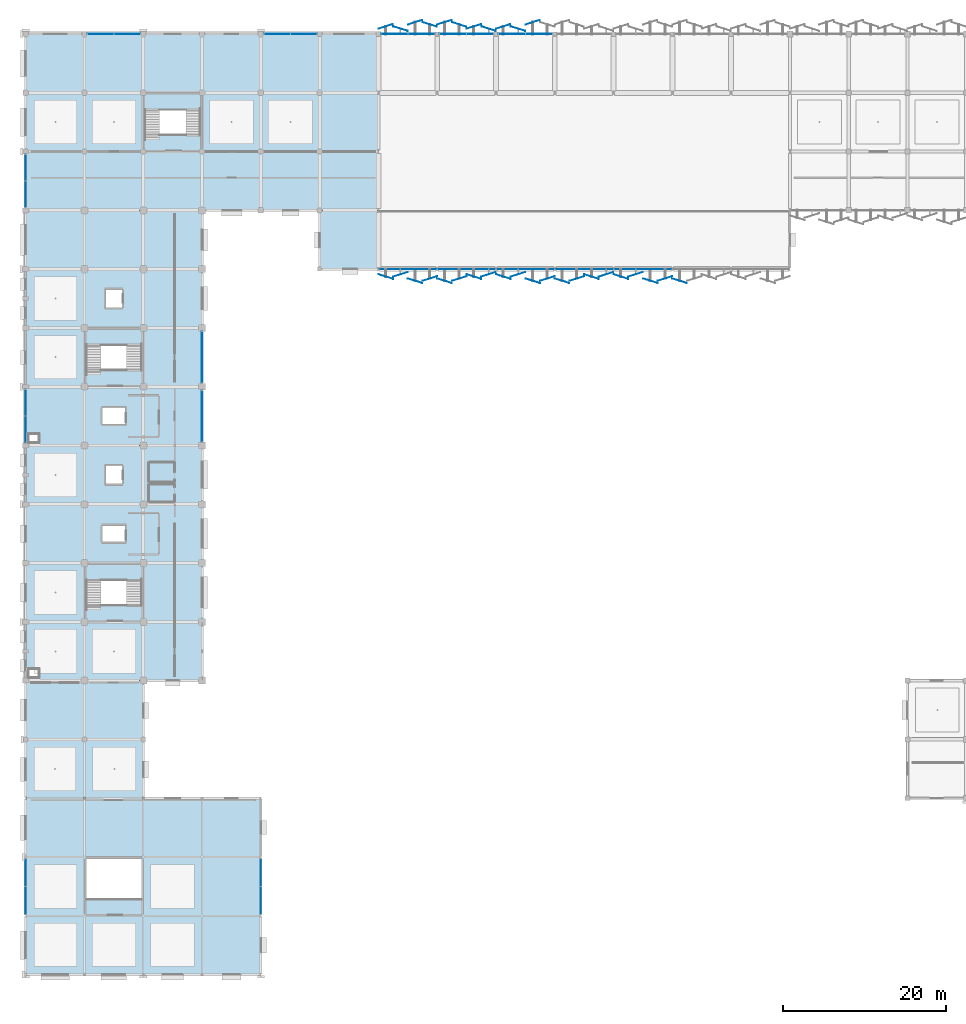
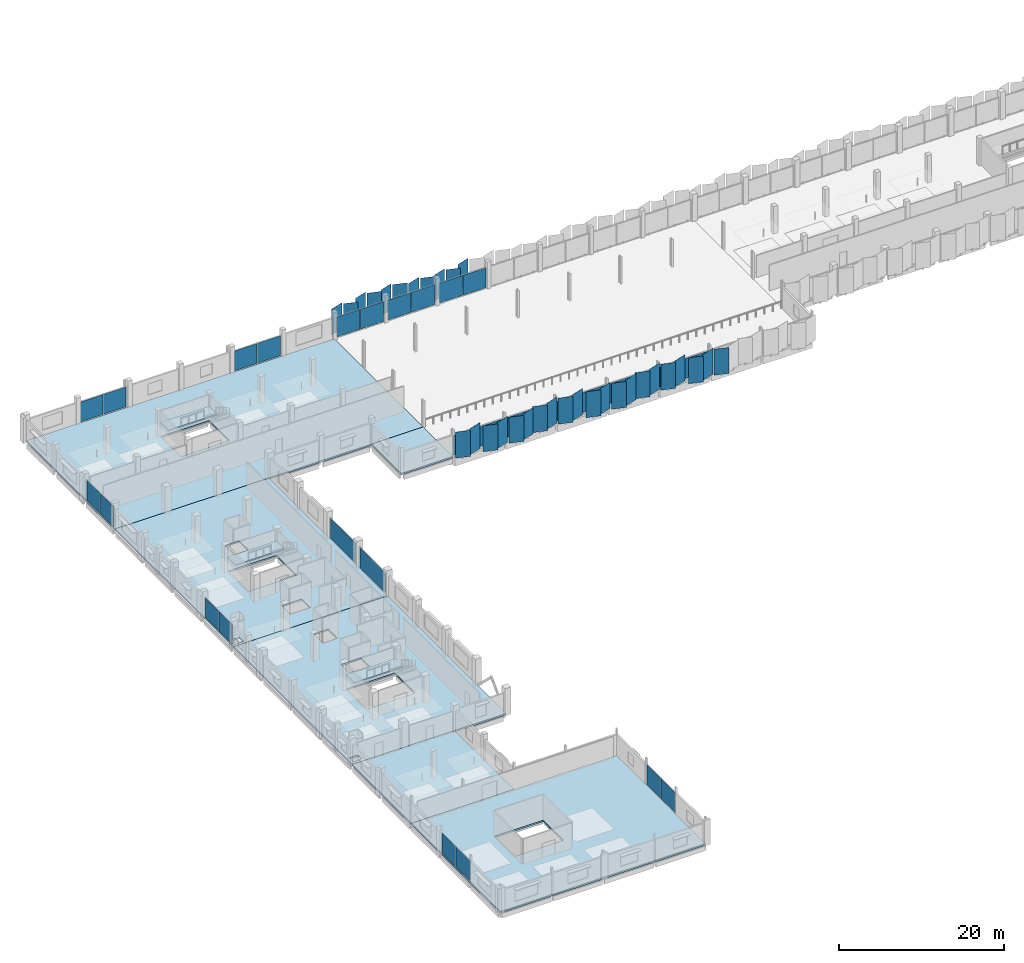
# One storey, part 71 of 107: 57 plates, 9 slabs, 19 elements without a shape of their own.
"""IFC4 building model written with IfcOpenShell, lengths in metres."""

from ifc_helpers import new_model, si_unit, direction, frame, origin, origin_2d, place, context, subcontext, project, spatial, polyline, rectangle, outline, extrude, material, layer, layer_set, type_object, element, aggregate, save


model = new_model("IFC4")

# Units and contexts
model_context = context("Model", 3, precision=1e-05, world=origin(), true_north=direction((0.0, 1.0)))
body_context = subcontext(model_context, "Body", "Model", "MODEL_VIEW")
ifc_project = project(units=[si_unit("LENGTHUNIT", "METRE"), si_unit("AREAUNIT", "SQUARE_METRE"), si_unit("VOLUMEUNIT", "CUBIC_METRE"), si_unit("PLANEANGLEUNIT", "RADIAN"), si_unit("MASSUNIT", "GRAM", prefix="KILO")], contexts=[model_context])

# Site, building, storey
site_placement = place(None, origin())
site = spatial("IfcSite", under=ifc_project, at=site_placement, CompositionType="ELEMENT")
building_placement = place(site_placement, origin())
building = spatial("IfcBuilding", under=site, at=building_placement, Name="Kangsadwip Square Police Headquarters", CompositionType="ELEMENT")
storey_placement = place(building_placement, frame((0.0, 0.0, 5.39990234375)))
storey = spatial("IfcBuildingStorey", under=building, at=storey_placement, Name="L01", CompositionType="ELEMENT", Elevation=5.39990234375)

# Curtain wall, plate
ifc_material_1 = material(Name="Thermally broken anodised aluminium AW-6063-T6", Category="aluminium")
ifc_layer_1 = layer(ifc_material_1, 0.159912109375)
ifc_layer_set_1 = layer_set([ifc_layer_1], Name="Thermally broken anodised aluminium AW-6063-T6")
curtain_wall_type_1 = type_object("IfcCurtainWallType", Name="CourtScreen7180x3200", PredefinedType="USERDEFINED", material=ifc_layer_set_1)
curtain_wall_1_placement = place(storey_placement, origin())
curtain_wall_1 = element("IfcCurtainWall", 1, at=curtain_wall_1_placement, inside=storey, type_object=curtain_wall_type_1, Name="Curtain Wall CW-L01-0432-0864", ObjectType="GLAZED_SCREEN", PredefinedType="USERDEFINED")
ifc_material_2 = material(Name="Double-glazed solar-control low-E safety glass", Category="glass")
ifc_layer_2 = layer(ifc_material_2, 0.02392578125)
ifc_layer_set_2 = layer_set([ifc_layer_2], Name="Double-glazed solar-control low-E safety glass")
plate_type_1 = type_object("IfcPlateType", Name="CwCourtVisionPanel24", PredefinedType="CURTAIN_PANEL", material=ifc_layer_set_2)
plate_1_placement = place(storey_placement, frame((46.800048828125, 86.39990234375, 0.1201171875), z_axis=(0.0, 0.0, 1.0), x_axis=(1.0, 0.0, 0.0)))
plate_1 = element("IfcPlate", 2, at=plate_1_placement, type_object=plate_type_1, Name="CW-17 panel 1.1", PredefinedType="CURTAIN_PANEL", context=body_context, shape_type="SweptSolid", body=[
    extrude(rectangle(XDim=7.06005859375, YDim=0.02392578125, at=origin_2d()), origin(), (0.0, 0.0, 1.0), 2.9599609375),
])
aggregate(curtain_wall_1, [plate_1])

curtain_wall_2_placement = place(storey_placement, origin())
curtain_wall_2 = element("IfcCurtainWall", 3, at=curtain_wall_2_placement, inside=storey, type_object=curtain_wall_type_1, Name="Curtain Wall CW-L01-0504-0864", ObjectType="GLAZED_SCREEN", PredefinedType="USERDEFINED")
plate_2_placement = place(storey_placement, frame((54.0, 86.39990234375, 0.1201171875), z_axis=(0.0, 0.0, 1.0), x_axis=(1.0, 0.0, 0.0)))
plate_2 = element("IfcPlate", 4, at=plate_2_placement, type_object=plate_type_1, Name="CW-17 panel 1.1", PredefinedType="CURTAIN_PANEL", context=body_context, shape_type="SweptSolid", body=[
    extrude(rectangle(XDim=7.06005859375, YDim=0.02392578125, at=origin_2d()), origin(), (0.0, 0.0, 1.0), 2.9599609375),
])
aggregate(curtain_wall_2, [plate_2])

curtain_wall_3_placement = place(storey_placement, origin())
curtain_wall_3 = element("IfcCurtainWall", 5, at=curtain_wall_3_placement, inside=storey, type_object=curtain_wall_type_1, Name="Curtain Wall CW-L01-0576-0864", ObjectType="GLAZED_SCREEN", PredefinedType="USERDEFINED")
plate_3_placement = place(storey_placement, frame((61.199951171875, 86.39990234375, 0.1201171875), z_axis=(0.0, 0.0, 1.0), x_axis=(1.0, 0.0, 0.0)))
plate_3 = element("IfcPlate", 6, at=plate_3_placement, type_object=plate_type_1, Name="CW-17 panel 1.1", PredefinedType="CURTAIN_PANEL", context=body_context, shape_type="SweptSolid", body=[
    extrude(rectangle(XDim=7.06005859375, YDim=0.02392578125, at=origin_2d()), origin(), (0.0, 0.0, 1.0), 2.9599609375),
])
aggregate(curtain_wall_3, [plate_3])

curtain_wall_4_placement = place(storey_placement, origin())
curtain_wall_4 = element("IfcCurtainWall", 7, at=curtain_wall_4_placement, inside=storey, type_object=curtain_wall_type_1, Name="Curtain Wall CW-L01-0648-0864", ObjectType="GLAZED_SCREEN", PredefinedType="USERDEFINED")
plate_4_placement = place(storey_placement, frame((68.39990234375, 86.39990234375, 0.1201171875), z_axis=(0.0, 0.0, 1.0), x_axis=(1.0, 0.0, 0.0)))
plate_4 = element("IfcPlate", 8, at=plate_4_placement, type_object=plate_type_1, Name="CW-17 panel 1.1", PredefinedType="CURTAIN_PANEL", context=body_context, shape_type="SweptSolid", body=[
    extrude(rectangle(XDim=7.06005859375, YDim=0.02392578125, at=origin_2d()), origin(), (0.0, 0.0, 1.0), 2.9599609375),
])
aggregate(curtain_wall_4, [plate_4])

curtain_wall_5_placement = place(storey_placement, origin())
curtain_wall_5 = element("IfcCurtainWall", 9, at=curtain_wall_5_placement, inside=storey, type_object=curtain_wall_type_1, Name="Curtain Wall CW-L01-0720-0864", ObjectType="GLAZED_SCREEN", PredefinedType="USERDEFINED")
plate_5_placement = place(storey_placement, frame((75.60009765625, 86.39990234375, 0.1201171875), z_axis=(0.0, 0.0, 1.0), x_axis=(1.0, 0.0, 0.0)))
plate_5 = element("IfcPlate", 10, at=plate_5_placement, type_object=plate_type_1, Name="CW-17 panel 1.1", PredefinedType="CURTAIN_PANEL", context=body_context, shape_type="SweptSolid", body=[
    extrude(rectangle(XDim=7.06005859375, YDim=0.02392578125, at=origin_2d()), origin(), (0.0, 0.0, 1.0), 2.9599609375),
])
aggregate(curtain_wall_5, [plate_5])

ifc_material_3 = material(Name="Thermally broken anodised aluminium AW-6063-T6", Category="aluminium")
ifc_layer_3 = layer(ifc_material_3, 0.159912109375)
ifc_layer_set_3 = layer_set([ifc_layer_3], Name="Thermally broken anodised aluminium AW-6063-T6")
curtain_wall_type_2 = type_object("IfcCurtainWallType", Name="CourtScreen6360x3200", PredefinedType="USERDEFINED", material=ifc_layer_set_3)
curtain_wall_6_placement = place(storey_placement, origin())
curtain_wall_6 = element("IfcCurtainWall", 11, at=curtain_wall_6_placement, inside=storey, type_object=curtain_wall_type_2, Name="Curtain Wall CW-L01-0216-0652", ObjectType="GLAZED_SCREEN", PredefinedType="USERDEFINED")
plate_6_placement = place(storey_placement, frame((21.60009765625, 68.39990234375, 0.1201171875), z_axis=(0.0, 0.0, 1.0), x_axis=(0.0, 1.0, 0.0)))
plate_6 = element("IfcPlate", 12, at=plate_6_placement, type_object=plate_type_1, Name="CW-29 panel 1.1", PredefinedType="CURTAIN_PANEL", context=body_context, shape_type="SweptSolid", body=[
    extrude(rectangle(XDim=6.239990234375, YDim=0.02392578125, at=origin_2d()), origin(), (0.0, 0.0, 1.0), 2.9599609375),
])
aggregate(curtain_wall_6, [plate_6])

curtain_wall_7_placement = place(storey_placement, origin())
curtain_wall_7 = element("IfcCurtainWall", 13, at=curtain_wall_7_placement, inside=storey, type_object=curtain_wall_type_2, Name="Curtain Wall CW-L01-0216-0724", ObjectType="GLAZED_SCREEN", PredefinedType="USERDEFINED")
plate_7_placement = place(storey_placement, frame((21.60009765625, 75.60009765625, 0.1201171875), z_axis=(0.0, 0.0, 1.0), x_axis=(0.0, 1.0, 0.0)))
plate_7 = element("IfcPlate", 14, at=plate_7_placement, type_object=plate_type_1, Name="CW-29 panel 1.1", PredefinedType="CURTAIN_PANEL", context=body_context, shape_type="SweptSolid", body=[
    extrude(rectangle(XDim=6.239990234375, YDim=0.02392578125, at=origin_2d()), origin(), (0.0, 0.0, 1.0), 2.9599609375),
])
aggregate(curtain_wall_7, [plate_7])

# Curtain wall, plates
ifc_material_4 = material(Name="Thermally broken anodised aluminium AW-6063-T6", Category="aluminium")
ifc_layer_4 = layer(ifc_material_4, 0.159912109375)
ifc_layer_set_4 = layer_set([ifc_layer_4], Name="Thermally broken anodised aluminium AW-6063-T6")
curtain_wall_type_3 = type_object("IfcCurtainWallType", Name="UnitisedCw6560x3200", PredefinedType="NOTDEFINED", material=ifc_layer_set_4)
curtain_wall_8_placement = place(storey_placement, origin())
curtain_wall_8 = element("IfcCurtainWall", 15, at=curtain_wall_8_placement, inside=storey, type_object=curtain_wall_type_3, Name="Curtain Wall CW-L01-0075-1152", PredefinedType="NOTDEFINED")
ifc_material_5 = material(Name="Double-glazed solar-control low-E safety glass", Category="glass")
ifc_layer_5 = layer(ifc_material_5, 0.028076171875)
ifc_layer_set_5 = layer_set([ifc_layer_5], Name="Double-glazed solar-control low-E safety glass")
plate_type_2 = type_object("IfcPlateType", Name="CwSolarVisionPanel28", PredefinedType="CURTAIN_PANEL", material=ifc_layer_set_5)
plate_8_placement = place(storey_placement, frame((9.17626953125, 115.199951171875, 0.130126953125), z_axis=(0.0, 0.0, 1.0), x_axis=(1.0, 0.0, 0.0)))
plate_8 = element("IfcPlate", 16, at=plate_8_placement, type_object=plate_type_2, Name="CW-20 panel 1.1", PredefinedType="CURTAIN_PANEL", context=body_context, shape_type="SweptSolid", body=[
    extrude(rectangle(XDim=3.1826171875, YDim=0.028076171875, at=origin_2d()), origin(), (0.0, 0.0, 1.0), 2.93994140625),
])
plate_9_placement = place(storey_placement, frame((12.423828125, 115.199951171875, 0.130126953125), z_axis=(0.0, 0.0, 1.0), x_axis=(1.0, 0.0, 0.0)))
plate_9 = element("IfcPlate", 17, at=plate_9_placement, type_object=plate_type_2, Name="CW-20 panel 2.1", PredefinedType="CURTAIN_PANEL", context=body_context, shape_type="SweptSolid", body=[
    extrude(rectangle(XDim=3.1826171875, YDim=0.028076171875, at=origin_2d()), origin(), (0.0, 0.0, 1.0), 2.93994140625),
])
aggregate(curtain_wall_8, [plate_8, plate_9])

ifc_material_6 = material(Name="Thermally broken anodised aluminium AW-6063-T6", Category="aluminium")
ifc_layer_6 = layer(ifc_material_6, 0.159912109375)
ifc_layer_set_6 = layer_set([ifc_layer_6], Name="Thermally broken anodised aluminium AW-6063-T6")
curtain_wall_type_4 = type_object("IfcCurtainWallType", Name="UnitisedCw6585x3200", PredefinedType="NOTDEFINED", material=ifc_layer_set_6)
curtain_wall_9_placement = place(storey_placement, origin())
curtain_wall_9 = element("IfcCurtainWall", 18, at=curtain_wall_9_placement, inside=storey, type_object=curtain_wall_type_4, Name="Curtain Wall CW-L01-0291-1152", PredefinedType="NOTDEFINED")
plate_10_placement = place(storey_placement, frame((30.782470703125, 115.199951171875, 0.130126953125), z_axis=(0.0, 0.0, 1.0), x_axis=(1.0, 0.0, 0.0)))
plate_10 = element("IfcPlate", 19, at=plate_10_placement, type_object=plate_type_2, Name="CW-21 panel 1.1", PredefinedType="CURTAIN_PANEL", context=body_context, shape_type="SweptSolid", body=[
    extrude(rectangle(XDim=3.195068359375, YDim=0.028076171875, at=origin_2d()), origin(), (0.0, 0.0, 1.0), 2.93994140625),
])
plate_11_placement = place(storey_placement, frame((34.04248046875, 115.199951171875, 0.130126953125), z_axis=(0.0, 0.0, 1.0), x_axis=(1.0, 0.0, 0.0)))
plate_11 = element("IfcPlate", 20, at=plate_11_placement, type_object=plate_type_2, Name="CW-21 panel 2.1", PredefinedType="CURTAIN_PANEL", context=body_context, shape_type="SweptSolid", body=[
    extrude(rectangle(XDim=3.195068359375, YDim=0.028076171875, at=origin_2d()), origin(), (0.0, 0.0, 1.0), 2.93994140625),
])
aggregate(curtain_wall_9, [plate_10, plate_11])

ifc_material_7 = material(Name="Thermally broken anodised aluminium AW-6063-T6", Category="aluminium")
ifc_layer_7 = layer(ifc_material_7, 0.159912109375)
ifc_layer_set_7 = layer_set([ifc_layer_7], Name="Thermally broken anodised aluminium AW-6063-T6")
curtain_wall_type_5 = type_object("IfcCurtainWallType", Name="UnitisedCw6660x3200", PredefinedType="NOTDEFINED", material=ifc_layer_set_7)
curtain_wall_10_placement = place(storey_placement, origin())
curtain_wall_10 = element("IfcCurtainWall", 21, at=curtain_wall_10_placement, inside=storey, type_object=curtain_wall_type_5, Name="Curtain Wall CW-L01-0435-1152", PredefinedType="NOTDEFINED")
plate_12_placement = place(storey_placement, frame((45.17626953125, 115.199951171875, 0.130126953125), z_axis=(0.0, 0.0, 1.0), x_axis=(1.0, 0.0, 0.0)))
plate_12 = element("IfcPlate", 22, at=plate_12_placement, type_object=plate_type_2, Name="CW-22 panel 1.1", PredefinedType="CURTAIN_PANEL", context=body_context, shape_type="SweptSolid", body=[
    extrude(rectangle(XDim=3.232421875, YDim=0.028076171875, at=origin_2d()), origin(), (0.0, 0.0, 1.0), 2.93994140625),
])
plate_13_placement = place(storey_placement, frame((48.4736328125, 115.199951171875, 0.130126953125), z_axis=(0.0, 0.0, 1.0), x_axis=(1.0, 0.0, 0.0)))
plate_13 = element("IfcPlate", 23, at=plate_13_placement, type_object=plate_type_2, Name="CW-22 panel 2.1", PredefinedType="CURTAIN_PANEL", context=body_context, shape_type="SweptSolid", body=[
    extrude(rectangle(XDim=3.232421875, YDim=0.028076171875, at=origin_2d()), origin(), (0.0, 0.0, 1.0), 2.93994140625),
])
aggregate(curtain_wall_10, [plate_12, plate_13])

ifc_material_8 = material(Name="Thermally broken anodised aluminium AW-6063-T6", Category="aluminium")
ifc_layer_8 = layer(ifc_material_8, 0.159912109375)
ifc_layer_set_8 = layer_set([ifc_layer_8], Name="Thermally broken anodised aluminium AW-6063-T6")
curtain_wall_type_6 = type_object("IfcCurtainWallType", Name="UnitisedCw6685x3200", PredefinedType="NOTDEFINED", material=ifc_layer_set_8)
curtain_wall_11_placement = place(storey_placement, origin())
curtain_wall_11 = element("IfcCurtainWall", 24, at=curtain_wall_11_placement, inside=storey, type_object=curtain_wall_type_6, Name="Curtain Wall CW-L01-0506-1152", PredefinedType="NOTDEFINED")
plate_14_placement = place(storey_placement, frame((52.33251953125, 115.199951171875, 0.130126953125), z_axis=(0.0, 0.0, 1.0), x_axis=(1.0, 0.0, 0.0)))
plate_14 = element("IfcPlate", 25, at=plate_14_placement, type_object=plate_type_2, Name="CW-23 panel 1.1", PredefinedType="CURTAIN_PANEL", context=body_context, shape_type="SweptSolid", body=[
    extrude(rectangle(XDim=3.2451171875, YDim=0.028076171875, at=origin_2d()), origin(), (0.0, 0.0, 1.0), 2.93994140625),
])
plate_15_placement = place(storey_placement, frame((55.642578125, 115.199951171875, 0.130126953125), z_axis=(0.0, 0.0, 1.0), x_axis=(1.0, 0.0, 0.0)))
plate_15 = element("IfcPlate", 26, at=plate_15_placement, type_object=plate_type_2, Name="CW-23 panel 2.1", PredefinedType="CURTAIN_PANEL", context=body_context, shape_type="SweptSolid", body=[
    extrude(rectangle(XDim=3.2451171875, YDim=0.028076171875, at=origin_2d()), origin(), (0.0, 0.0, 1.0), 2.93994140625),
])
aggregate(curtain_wall_11, [plate_14, plate_15])

curtain_wall_12_placement = place(storey_placement, origin())
curtain_wall_12 = element("IfcCurtainWall", 27, at=curtain_wall_12_placement, inside=storey, type_object=curtain_wall_type_6, Name="Curtain Wall CW-L01-0579-1152", PredefinedType="NOTDEFINED")
plate_16_placement = place(storey_placement, frame((59.5576171875, 115.199951171875, 0.130126953125), z_axis=(0.0, 0.0, 1.0), x_axis=(1.0, 0.0, 0.0)))
plate_16 = element("IfcPlate", 28, at=plate_16_placement, type_object=plate_type_2, Name="CW-23 panel 1.1", PredefinedType="CURTAIN_PANEL", context=body_context, shape_type="SweptSolid", body=[
    extrude(rectangle(XDim=3.2451171875, YDim=0.028076171875, at=origin_2d()), origin(), (0.0, 0.0, 1.0), 2.93994140625),
])
plate_17_placement = place(storey_placement, frame((62.867431640625, 115.199951171875, 0.130126953125), z_axis=(0.0, 0.0, 1.0), x_axis=(1.0, 0.0, 0.0)))
plate_17 = element("IfcPlate", 29, at=plate_17_placement, type_object=plate_type_2, Name="CW-23 panel 2.1", PredefinedType="CURTAIN_PANEL", context=body_context, shape_type="SweptSolid", body=[
    extrude(rectangle(XDim=3.2451171875, YDim=0.028076171875, at=origin_2d()), origin(), (0.0, 0.0, 1.0), 2.93994140625),
])
aggregate(curtain_wall_12, [plate_16, plate_17])

ifc_material_9 = material(Name="Thermally broken anodised aluminium AW-6063-T6", Category="aluminium")
ifc_layer_9 = layer(ifc_material_9, 0.159912109375)
ifc_layer_set_9 = layer_set([ifc_layer_9], Name="Thermally broken anodised aluminium AW-6063-T6")
curtain_wall_type_7 = type_object("IfcCurtainWallType", Name="UnitisedCw6944x3200", PredefinedType="NOTDEFINED", material=ifc_layer_set_9)
curtain_wall_13_placement = place(storey_placement, origin())
curtain_wall_13 = element("IfcCurtainWall", 30, at=curtain_wall_13_placement, inside=storey, type_object=curtain_wall_type_7, Name="Curtain Wall CW-L01-0000-0073", PredefinedType="NOTDEFINED")
plate_18_placement = place(storey_placement, frame((0.0, 9.080322265625, 0.130126953125), z_axis=(0.0, 0.0, 1.0), x_axis=(0.0, 1.0, 0.0)))
plate_18 = element("IfcPlate", 31, at=plate_18_placement, type_object=plate_type_2, Name="CW-27 panel 1.1", PredefinedType="CURTAIN_PANEL", context=body_context, shape_type="SweptSolid", body=[
    extrude(rectangle(XDim=3.37451171875, YDim=0.028076171875, at=origin_2d()), origin(), (0.0, 0.0, 1.0), 2.93994140625),
])
plate_19_placement = place(storey_placement, frame((0.0, 12.519775390625, 0.130126953125), z_axis=(0.0, 0.0, 1.0), x_axis=(0.0, 1.0, 0.0)))
plate_19 = element("IfcPlate", 32, at=plate_19_placement, type_object=plate_type_2, Name="CW-27 panel 2.1", PredefinedType="CURTAIN_PANEL", context=body_context, shape_type="SweptSolid", body=[
    extrude(rectangle(XDim=3.37451171875, YDim=0.028076171875, at=origin_2d()), origin(), (0.0, 0.0, 1.0), 2.93994140625),
])
aggregate(curtain_wall_13, [plate_18, plate_19])

ifc_material_10 = material(Name="Thermally broken anodised aluminium AW-6063-T6", Category="aluminium")
ifc_layer_10 = layer(ifc_material_10, 0.159912109375)
ifc_layer_set_10 = layer_set([ifc_layer_10], Name="Thermally broken anodised aluminium AW-6063-T6")
curtain_wall_type_8 = type_object("IfcCurtainWallType", Name="UnitisedCw6610x3200", PredefinedType="NOTDEFINED", material=ifc_layer_set_10)
curtain_wall_14_placement = place(storey_placement, origin())
curtain_wall_14 = element("IfcCurtainWall", 33, at=curtain_wall_14_placement, inside=storey, type_object=curtain_wall_type_8, Name="Curtain Wall CW-L01-0000-0651", PredefinedType="NOTDEFINED")
plate_20_placement = place(storey_placement, frame((0.0, 66.763671875, 0.130126953125), z_axis=(0.0, 0.0, 1.0), x_axis=(0.0, 1.0, 0.0)))
plate_20 = element("IfcPlate", 34, at=plate_20_placement, type_object=plate_type_2, Name="CW-28 panel 1.1", PredefinedType="CURTAIN_PANEL", context=body_context, shape_type="SweptSolid", body=[
    extrude(rectangle(XDim=3.20751953125, YDim=0.028076171875, at=origin_2d()), origin(), (0.0, 0.0, 1.0), 2.93994140625),
])
plate_21_placement = place(storey_placement, frame((0.0, 70.0361328125, 0.130126953125), z_axis=(0.0, 0.0, 1.0), x_axis=(0.0, 1.0, 0.0)))
plate_21 = element("IfcPlate", 35, at=plate_21_placement, type_object=plate_type_2, Name="CW-28 panel 2.1", PredefinedType="CURTAIN_PANEL", context=body_context, shape_type="SweptSolid", body=[
    extrude(rectangle(XDim=3.20751953125, YDim=0.028076171875, at=origin_2d()), origin(), (0.0, 0.0, 1.0), 2.93994140625),
])
aggregate(curtain_wall_14, [plate_20, plate_21])

curtain_wall_15_placement = place(storey_placement, origin())
curtain_wall_15 = element("IfcCurtainWall", 36, at=curtain_wall_15_placement, inside=storey, type_object=curtain_wall_type_4, Name="Curtain Wall CW-L01-0000-0939", PredefinedType="NOTDEFINED")
plate_22_placement = place(storey_placement, frame((0.0, 95.5576171875, 0.130126953125), z_axis=(0.0, 0.0, 1.0), x_axis=(0.0, 1.0, 0.0)))
plate_22 = element("IfcPlate", 37, at=plate_22_placement, type_object=plate_type_2, Name="CW-21 panel 1.1", PredefinedType="CURTAIN_PANEL", context=body_context, shape_type="SweptSolid", body=[
    extrude(rectangle(XDim=3.195068359375, YDim=0.028076171875, at=origin_2d()), origin(), (0.0, 0.0, 1.0), 2.93994140625),
])
plate_23_placement = place(storey_placement, frame((0.0, 98.8173828125, 0.130126953125), z_axis=(0.0, 0.0, 1.0), x_axis=(0.0, 1.0, 0.0)))
plate_23 = element("IfcPlate", 38, at=plate_23_placement, type_object=plate_type_2, Name="CW-21 panel 2.1", PredefinedType="CURTAIN_PANEL", context=body_context, shape_type="SweptSolid", body=[
    extrude(rectangle(XDim=3.195068359375, YDim=0.028076171875, at=origin_2d()), origin(), (0.0, 0.0, 1.0), 2.93994140625),
])
aggregate(curtain_wall_15, [plate_22, plate_23])

curtain_wall_16_placement = place(storey_placement, origin())
curtain_wall_16 = element("IfcCurtainWall", 39, at=curtain_wall_16_placement, inside=storey, type_object=curtain_wall_type_7, Name="Curtain Wall CW-L01-0288-0073", PredefinedType="NOTDEFINED")
plate_24_placement = place(storey_placement, frame((28.800048828125, 9.080322265625, 0.130126953125), z_axis=(0.0, 0.0, 1.0), x_axis=(0.0, 1.0, 0.0)))
plate_24 = element("IfcPlate", 40, at=plate_24_placement, type_object=plate_type_2, Name="CW-27 panel 1.1", PredefinedType="CURTAIN_PANEL", context=body_context, shape_type="SweptSolid", body=[
    extrude(rectangle(XDim=3.37451171875, YDim=0.028076171875, at=origin_2d()), origin(), (0.0, 0.0, 1.0), 2.93994140625),
])
plate_25_placement = place(storey_placement, frame((28.800048828125, 12.519775390625, 0.130126953125), z_axis=(0.0, 0.0, 1.0), x_axis=(0.0, 1.0, 0.0)))
plate_25 = element("IfcPlate", 41, at=plate_25_placement, type_object=plate_type_2, Name="CW-27 panel 2.1", PredefinedType="CURTAIN_PANEL", context=body_context, shape_type="SweptSolid", body=[
    extrude(rectangle(XDim=3.37451171875, YDim=0.028076171875, at=origin_2d()), origin(), (0.0, 0.0, 1.0), 2.93994140625),
])
aggregate(curtain_wall_16, [plate_24, plate_25])

# Slabs
ifc_material_11 = material(Name="Concrete M35 (35 MPa)", Category="concrete")
ifc_layer_11 = layer(ifc_material_11, 0.239990234375)
ifc_layer_set_11 = layer_set([ifc_layer_11], Name="Concrete M35 (35 MPa)")
slab_type_1 = type_object("IfcSlabType", Name="MainFloorSlab240", PredefinedType="FLOOR", material=ifc_layer_set_11)
slab_1_placement = place(storey_placement, frame((0.0, 0.0, -0.239990234375)))
element("IfcSlab", 42, at=slab_1_placement, inside=storey, type_object=slab_type_1, Name="L01 Vol4 Slab SL-L01-018", PredefinedType="FLOOR", context=body_context, shape_type="SweptSolid", body=[
    extrude(outline(polyline([(0.0, 93.60009765625), (0.0, 115.199951171875), (43.199951171875, 115.199951171875), (43.199951171875, 93.60009765625), (0.0, 93.60009765625)]), holes=[polyline([(14.6201171875, 102.8798828125), (21.3798828125, 102.8798828125), (21.3798828125, 107.780029296875), (14.6201171875, 107.780029296875), (14.6201171875, 102.8798828125)])]), origin(), (0.0, 0.0, 1.0), 0.239990234375),
])
slab_2_placement = place(storey_placement, frame((0.0, 0.0, -0.239990234375)))
element("IfcSlab", 43, at=slab_2_placement, inside=storey, type_object=slab_type_1, Name="L01 Vol1M Slab SL-L01-019", PredefinedType="FLOOR", context=body_context, shape_type="SweptSolid", body=[
    extrude(outline(polyline([(36.0, 86.39990234375), (36.0, 93.60009765625), (43.199951171875, 93.60009765625), (43.199951171875, 86.39990234375), (36.0, 86.39990234375)])), origin(), (0.0, 0.0, 1.0), 0.239990234375),
])
slab_3_placement = place(storey_placement, frame((0.0, 0.0, -0.239990234375)))
element("IfcSlab", 44, at=slab_3_placement, inside=storey, type_object=slab_type_1, Name="L01 Vol5S Slab SL-L01-023", PredefinedType="FLOOR", context=body_context, shape_type="SweptSolid", body=[
    extrude(outline(polyline([(0.0, 36.0), (0.0, 64.800048828125), (21.60009765625, 64.800048828125), (21.60009765625, 36.0), (0.0, 36.0)]), holes=[polyline([(1.60009765625, 37.39990234375), (0.39990234375, 37.39990234375), (0.39990234375, 36.39990234375), (1.60009765625, 36.39990234375), (1.60009765625, 37.39990234375)]), polyline([(14.179931640625, 45.280029296875), (14.179931640625, 50.179931640625), (7.419921875, 50.179931640625), (7.419921875, 45.280029296875), (14.179931640625, 45.280029296875)]), polyline([(12.199951171875, 53.0), (12.199951171875, 55.0), (9.39990234375, 55.0), (9.39990234375, 53.0), (12.199951171875, 53.0)]), polyline([(11.800048828125, 60.10009765625), (11.800048828125, 62.300048828125), (9.800048828125, 62.300048828125), (9.800048828125, 60.10009765625), (11.800048828125, 60.10009765625)])]), origin(), (0.0, 0.0, 1.0), 0.239990234375),
])
slab_4_placement = place(storey_placement, frame((0.0, 0.0, -0.239990234375)))
element("IfcSlab", 45, at=slab_4_placement, inside=storey, type_object=slab_type_1, Name="L01 Vol5N Slab SL-L01-024", PredefinedType="FLOOR", context=body_context, shape_type="SweptSolid", body=[
    extrude(outline(polyline([(0.0, 64.800048828125), (0.0, 93.60009765625), (21.60009765625, 93.60009765625), (21.60009765625, 64.800048828125), (0.0, 64.800048828125)]), holes=[polyline([(1.60009765625, 66.199951171875), (0.39990234375, 66.199951171875), (0.39990234375, 65.199951171875), (1.60009765625, 65.199951171875), (1.60009765625, 66.199951171875)]), polyline([(12.199951171875, 69.39990234375), (9.39990234375, 69.39990234375), (9.39990234375, 67.39990234375), (12.199951171875, 67.39990234375), (12.199951171875, 69.39990234375)]), polyline([(14.179931640625, 74.080078125), (14.179931640625, 78.97998046875), (7.419921875, 78.97998046875), (7.419921875, 74.080078125), (14.179931640625, 74.080078125)]), polyline([(11.800048828125, 81.699951171875), (11.800048828125, 83.89990234375), (9.800048828125, 83.89990234375), (9.800048828125, 81.699951171875), (11.800048828125, 81.699951171875)])]), origin(), (0.0, 0.0, 1.0), 0.239990234375),
])
slab_5_placement = place(storey_placement, frame((0.0, 0.0, -0.239990234375)))
element("IfcSlab", 46, at=slab_5_placement, inside=storey, type_object=slab_type_1, Name="L01 Vol3 Slab SL-L01-027", PredefinedType="FLOOR", context=body_context, shape_type="SweptSolid", body=[
    extrude(outline(polyline([(0.0, 0.0), (0.0, 21.60009765625), (28.800048828125, 21.60009765625), (28.800048828125, 0.0), (0.0, 0.0)]), holes=[polyline([(14.179931640625, 9.280029296875), (14.179931640625, 14.179931640625), (7.419921875, 14.179931640625), (7.419921875, 9.280029296875), (14.179931640625, 9.280029296875)])]), origin(), (0.0, 0.0, 1.0), 0.239990234375),
])
slab_6_placement = place(storey_placement, frame((0.0, 0.0, -0.239990234375)))
element("IfcSlab", 47, at=slab_6_placement, inside=storey, type_object=slab_type_1, Name="Courtyard Link Bridge Deck SL-L01-028", PredefinedType="FLOOR", context=body_context, shape_type="SweptSolid", body=[
    extrude(outline(polyline([(0.0, 21.60009765625), (0.0, 36.0), (14.39990234375, 36.0), (14.39990234375, 21.60009765625), (0.0, 21.60009765625)])), origin(), (0.0, 0.0, 1.0), 0.239990234375),
])

# Plates
ifc_material_12 = material(Name="PVDF-coated perforated marine-grade aluminium AW-5052-H32", Category="aluminium")
ifc_layer_12 = layer(ifc_material_12, 0.006103515625)
ifc_layer_set_12 = layer_set([ifc_layer_12], Name="PVDF-coated perforated marine-grade aluminium AW-5052-H32")
plate_type_3 = type_object("IfcPlateType", Name="PleatedVeilFacet1", PredefinedType="USERDEFINED", material=ifc_layer_set_12)
for number, where, z_axis, x_axis, name in (
    (48, (44.10009765625, 116.12548828125, 0.1201171875), (0.0, 0.0, 1.0), (0.953716950748, 0.300705799504, 0.0), "Pleated Perforated Veil Facet PVF-L01-0001"),
    (49, (45.89990234375, 115.845458984375, 0.1201171875), (0.0, 0.0, 1.0), (0.953716950748, -0.300705799504, 0.0), "Pleated Perforated Veil Facet PVF-L01-0002"),
    (50, (47.699951171875, 116.634521484375, 0.1201171875), (0.0, 0.0, 1.0), (0.953716950748, 0.300705799504, 0.0), "Pleated Perforated Veil Facet PVF-L01-0003"),
    (51, (49.5, 116.3544921875, 0.1201171875), (0.0, 0.0, 1.0), (0.953716950748, -0.300705799504, 0.0), "Pleated Perforated Veil Facet PVF-L01-0004"),
    (52, (51.300048828125, 116.634521484375, 0.1201171875), (0.0, 0.0, 1.0), (0.953716950748, 0.300705799504, 0.0), "Pleated Perforated Veil Facet PVF-L01-0005"),
    (53, (53.10009765625, 116.3544921875, 0.1201171875), (0.0, 0.0, 1.0), (0.953716950748, -0.300705799504, 0.0), "Pleated Perforated Veil Facet PVF-L01-0006"),
    (54, (54.89990234375, 116.12548828125, 0.1201171875), (0.0, 0.0, 1.0), (0.953716950748, 0.300705799504, 0.0), "Pleated Perforated Veil Facet PVF-L01-0007"),
    (55, (56.699951171875, 115.845458984375, 0.1201171875), (0.0, 0.0, 1.0), (0.953716950748, -0.300705799504, 0.0), "Pleated Perforated Veil Facet PVF-L01-0008"),
    (56, (58.5, 116.12548828125, 0.1201171875), (0.0, 0.0, 1.0), (0.953716950748, 0.300705799504, 0.0), "Pleated Perforated Veil Facet PVF-L01-0009"),
    (57, (60.300048828125, 115.845458984375, 0.1201171875), (0.0, 0.0, 1.0), (0.953716950748, -0.300705799504, 0.0), "Pleated Perforated Veil Facet PVF-L01-0010"),
    (58, (62.10009765625, 116.634521484375, 0.1201171875), (0.0, 0.0, 1.0), (0.953716950748, 0.300705799504, 0.0), "Pleated Perforated Veil Facet PVF-L01-0011"),
):
    element("IfcPlate", number, at=place(storey_placement, frame(where, z_axis=z_axis, x_axis=x_axis)), inside=storey, type_object=plate_type_3, Name=name, ObjectType="VEIL_FACET", PredefinedType="USERDEFINED", context=body_context, shape_type="SweptSolid", body=[
        extrude(rectangle(XDim=1.820068359375, YDim=0.006103515625, at=origin_2d()), origin(), (0.0, 0.0, 1.0), 3.860107421875),
    ])
ifc_material_13 = material(Name="PVDF-coated perforated marine-grade aluminium AW-5052-H32", Category="aluminium")
ifc_layer_13 = layer(ifc_material_13, 0.008056640625)
ifc_layer_set_13 = layer_set([ifc_layer_13], Name="PVDF-coated perforated marine-grade aluminium AW-5052-H32")
plate_type_4 = type_object("IfcPlateType", Name="PleatedVeilFacet4", PredefinedType="USERDEFINED", material=ifc_layer_set_13)
for number, where, z_axis, x_axis, name in (
    (59, (44.10009765625, 85.474609375, 0.1201171875), (0.0, 0.0, 1.0), (0.953716950748, -0.300705799504, 0.0), "Pleated Perforated Veil Facet PVF-L01-0197"),
    (60, (45.89990234375, 85.754638671875, 0.1201171875), (0.0, 0.0, 1.0), (0.953716950748, 0.300705799504, 0.0), "Pleated Perforated Veil Facet PVF-L01-0198"),
    (61, (47.699951171875, 84.96533203125, 0.1201171875), (0.0, 0.0, 1.0), (0.953716950748, -0.300705799504, 0.0), "Pleated Perforated Veil Facet PVF-L01-0199"),
    (62, (49.5, 85.245361328125, 0.1201171875), (0.0, 0.0, 1.0), (0.953716950748, 0.300705799504, 0.0), "Pleated Perforated Veil Facet PVF-L01-0200"),
    (63, (51.300048828125, 84.96533203125, 0.1201171875), (0.0, 0.0, 1.0), (0.953716950748, -0.300705799504, 0.0), "Pleated Perforated Veil Facet PVF-L01-0201"),
    (64, (53.10009765625, 85.245361328125, 0.1201171875), (0.0, 0.0, 1.0), (0.953716950748, 0.300705799504, 0.0), "Pleated Perforated Veil Facet PVF-L01-0202"),
    (65, (54.89990234375, 85.474609375, 0.1201171875), (0.0, 0.0, 1.0), (0.953716950748, -0.300705799504, 0.0), "Pleated Perforated Veil Facet PVF-L01-0203"),
    (66, (56.699951171875, 85.754638671875, 0.1201171875), (0.0, 0.0, 1.0), (0.953716950748, 0.300705799504, 0.0), "Pleated Perforated Veil Facet PVF-L01-0204"),
    (67, (58.5, 85.474609375, 0.1201171875), (0.0, 0.0, 1.0), (0.953716950748, -0.300705799504, 0.0), "Pleated Perforated Veil Facet PVF-L01-0205"),
    (68, (60.300048828125, 85.754638671875, 0.1201171875), (0.0, 0.0, 1.0), (0.953716950748, 0.300705799504, 0.0), "Pleated Perforated Veil Facet PVF-L01-0206"),
    (69, (62.10009765625, 84.96533203125, 0.1201171875), (0.0, 0.0, 1.0), (0.953716950748, -0.300705799504, 0.0), "Pleated Perforated Veil Facet PVF-L01-0207"),
    (70, (63.89990234375, 85.245361328125, 0.1201171875), (0.0, 0.0, 1.0), (0.953716950748, 0.300705799504, 0.0), "Pleated Perforated Veil Facet PVF-L01-0208"),
    (71, (65.699951171875, 84.96533203125, 0.1201171875), (0.0, 0.0, 1.0), (0.953716950748, -0.300705799504, 0.0), "Pleated Perforated Veil Facet PVF-L01-0209"),
    (72, (67.5, 85.245361328125, 0.1201171875), (0.0, 0.0, 1.0), (0.953716950748, 0.300705799504, 0.0), "Pleated Perforated Veil Facet PVF-L01-0210"),
    (73, (69.300048828125, 85.474609375, 0.1201171875), (0.0, 0.0, 1.0), (0.953716950748, -0.300705799504, 0.0), "Pleated Perforated Veil Facet PVF-L01-0211"),
    (74, (71.10009765625, 85.754638671875, 0.1201171875), (0.0, 0.0, 1.0), (0.953716950748, 0.300705799504, 0.0), "Pleated Perforated Veil Facet PVF-L01-0212"),
    (75, (72.89990234375, 85.474609375, 0.1201171875), (0.0, 0.0, 1.0), (0.953716950748, -0.300705799504, 0.0), "Pleated Perforated Veil Facet PVF-L01-0213"),
    (76, (74.699951171875, 85.754638671875, 0.1201171875), (0.0, 0.0, 1.0), (0.953716950748, 0.300705799504, 0.0), "Pleated Perforated Veil Facet PVF-L01-0214"),
    (77, (76.5, 84.96533203125, 0.1201171875), (0.0, 0.0, 1.0), (0.953716950748, -0.300705799504, 0.0), "Pleated Perforated Veil Facet PVF-L01-0215"),
    (78, (78.300048828125, 85.245361328125, 0.1201171875), (0.0, 0.0, 1.0), (0.953716950748, 0.300705799504, 0.0), "Pleated Perforated Veil Facet PVF-L01-0216"),
    (79, (80.10009765625, 84.96533203125, 0.1201171875), (0.0, 0.0, 1.0), (0.953716950748, -0.300705799504, 0.0), "Pleated Perforated Veil Facet PVF-L01-0217"),
):
    element("IfcPlate", number, at=place(storey_placement, frame(where, z_axis=z_axis, x_axis=x_axis)), inside=storey, type_object=plate_type_4, Name=name, ObjectType="VEIL_FACET", PredefinedType="USERDEFINED", context=body_context, shape_type="SweptSolid", body=[
        extrude(rectangle(XDim=1.860107421875, YDim=0.008056640625, at=origin_2d()), origin(), (0.0, 0.0, 1.0), 3.860107421875),
    ])

# Stair, slab
ifc_material_14 = material(Name="Concrete M35 (35 MPa)", Category="concrete")
stair_type_1 = type_object("IfcStairType", Name="Stair2FlightTypW1850", PredefinedType="HALF_TURN_STAIR", material=ifc_material_14)
stair_1_placement = place(storey_placement, origin())
stair_1 = element("IfcStair", 80, at=stair_1_placement, inside=storey, type_object=stair_type_1, Name="Protected Stair ST-01 L01", PredefinedType="HALF_TURN_STAIR")
ifc_material_15 = material(Name="Concrete M35 (35 MPa)", Category="concrete")
ifc_layer_14 = layer(ifc_material_15, 0.199951171875)
ifc_layer_set_14 = layer_set([ifc_layer_14], Name="Concrete M35 (35 MPa)")
slab_type_2 = type_object("IfcSlabType", Name="StairLandingSlab200", PredefinedType="LANDING", material=ifc_layer_set_14)
slab_7_placement = place(storey_placement, frame((0.0, 0.0, 1.906005859375)))
slab_7 = element("IfcSlab", 81, at=slab_7_placement, type_object=slab_type_2, Name="ST-01 landing 1", PredefinedType="LANDING", context=body_context, shape_type="SweptSolid", body=[
    extrude(outline(polyline([(7.3701171875, 48.280029296875), (14.22998046875, 48.280029296875), (14.22998046875, 50.22998046875), (7.3701171875, 50.22998046875), (7.3701171875, 48.280029296875)])), origin(), (0.0, 0.0, 1.0), 0.2001953125),
])
aggregate(stair_1, [slab_7])

stair_2_placement = place(storey_placement, origin())
stair_2 = element("IfcStair", 82, at=stair_2_placement, inside=storey, type_object=stair_type_1, Name="Protected Stair ST-02 L01", PredefinedType="HALF_TURN_STAIR")
slab_8_placement = place(storey_placement, frame((0.0, 0.0, 1.906005859375)))
slab_8 = element("IfcSlab", 83, at=slab_8_placement, type_object=slab_type_2, Name="ST-02 landing 1", PredefinedType="LANDING", context=body_context, shape_type="SweptSolid", body=[
    extrude(outline(polyline([(7.3701171875, 77.080078125), (14.22998046875, 77.080078125), (14.22998046875, 79.030029296875), (7.3701171875, 79.030029296875), (7.3701171875, 77.080078125)])), origin(), (0.0, 0.0, 1.0), 0.2001953125),
])
aggregate(stair_2, [slab_8])

ifc_material_16 = material(Name="Concrete M35 (35 MPa)", Category="concrete")
stair_type_2 = type_object("IfcStairType", Name="Stair2FlightSecW1800", PredefinedType="HALF_TURN_STAIR", material=ifc_material_16)
stair_3_placement = place(storey_placement, origin())
stair_3 = element("IfcStair", 84, at=stair_3_placement, inside=storey, type_object=stair_type_2, Name="Protected Stair ST-07 L01", PredefinedType="HALF_TURN_STAIR")
slab_9_placement = place(storey_placement, frame((0.0, 0.0, 1.906005859375)))
slab_9 = element("IfcSlab", 85, at=slab_9_placement, type_object=slab_type_2, Name="ST-07 landing 1", PredefinedType="LANDING", context=body_context, shape_type="SweptSolid", body=[
    extrude(outline(polyline([(14.570068359375, 105.8798828125), (21.429931640625, 105.8798828125), (21.429931640625, 107.830078125), (14.570068359375, 107.830078125), (14.570068359375, 105.8798828125)])), origin(), (0.0, 0.0, 1.0), 0.2001953125),
])
aggregate(stair_3, [slab_9])

save(model, "model.ifc")
